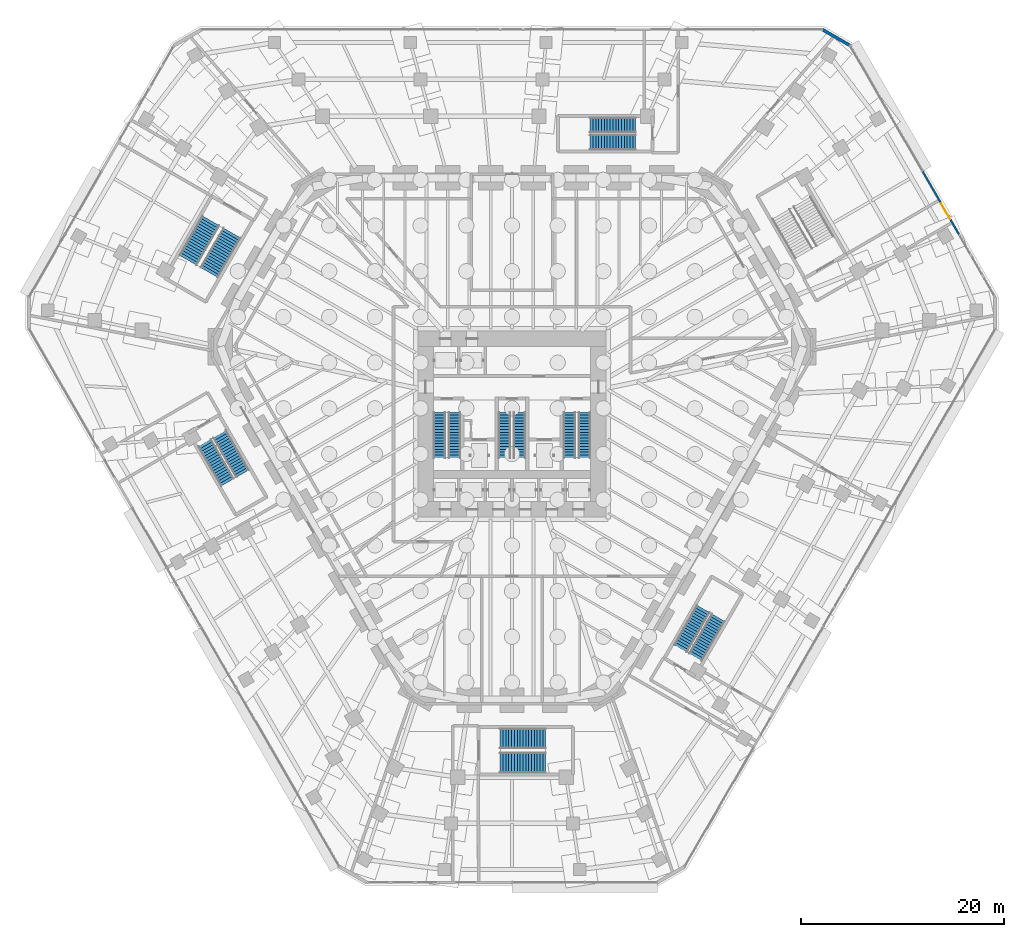
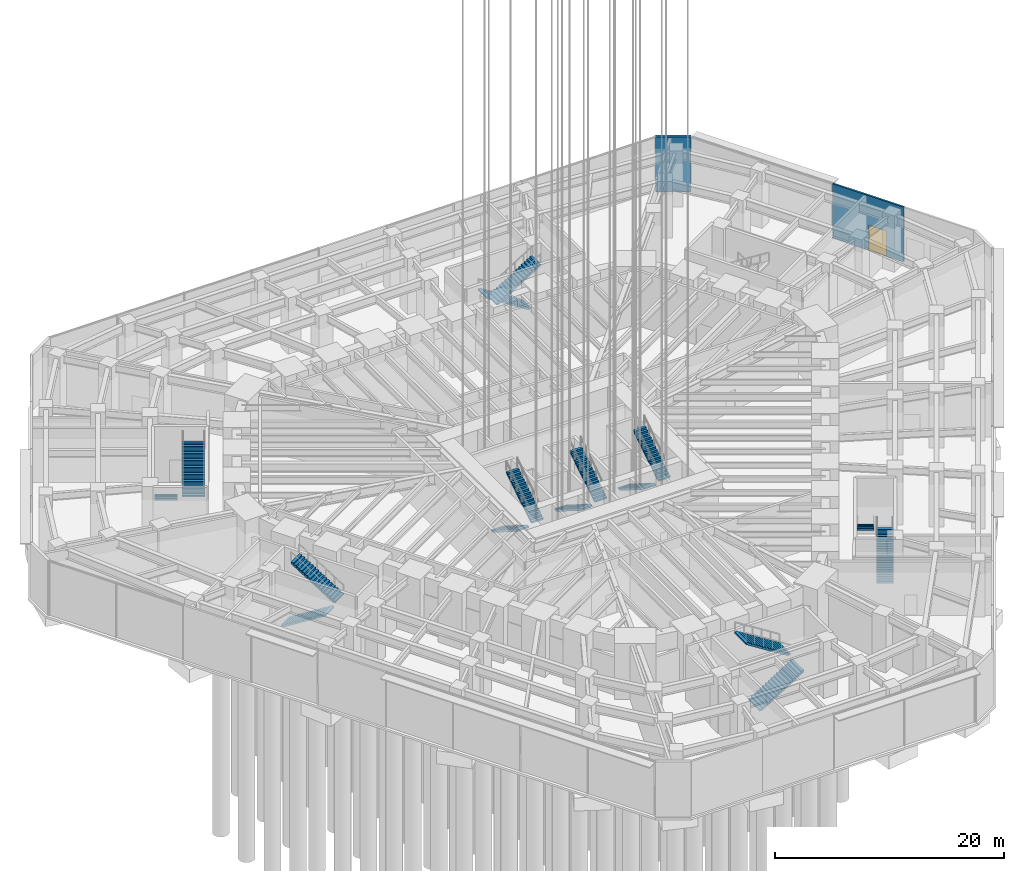
# One storey, part 23 of 34: 16 stair flights, 2 walls, 1 door, 1 opening, 8 elements without a shape of their own.
"""IFC4 building model written with IfcOpenShell, lengths in metres."""

from ifc_helpers import new_model, si_unit, direction, frame, frame_2d, origin, place, context, subcontext, project, spatial, polyline, rectangle, outline, extrude, material, layer, layer_set, type_object, element, fill, aggregate, save


model = new_model("IFC4")

# Units and contexts
model_context = context("Model", 3, precision=1e-05, world=origin(), true_north=direction((0.0, 1.0)))
body_context = subcontext(model_context, "Body", "Model", "MODEL_VIEW")
ifc_project = project(units=[si_unit("LENGTHUNIT", "METRE"), si_unit("AREAUNIT", "SQUARE_METRE"), si_unit("VOLUMEUNIT", "CUBIC_METRE"), si_unit("PLANEANGLEUNIT", "RADIAN"), si_unit("MASSUNIT", "GRAM", prefix="KILO")], contexts=[model_context])

# Site, building, storey
site_placement = place(None, origin())
site = spatial("IfcSite", under=ifc_project, at=site_placement, CompositionType="ELEMENT")
building_placement = place(site_placement, origin())
building = spatial("IfcBuilding", under=site, at=building_placement, Name="Sandreach Pilgrim Tower", CompositionType="ELEMENT")
storey_placement = place(building_placement, origin())
storey = spatial("IfcBuildingStorey", under=building, at=storey_placement, Name="L00", CompositionType="ELEMENT", Elevation=0.0)

# Wall, opening, door
ifc_material_1 = material(Name="Glazed aluminium screen", Category="aluminium")
ifc_layer_1 = layer(ifc_material_1, 0.179931640625)
ifc_layer_set_1 = layer_set([ifc_layer_1], Name="Glazed entrance screen wall")
wall_type_1 = type_object("IfcWallType", Name="Glazed entrance screen wall", PredefinedType="SOLIDWALL", material=ifc_layer_set_1)
wall_1_placement = place(storey_placement, frame((40.427734375, 23.3408203125, 0.0), z_axis=(0.0, 0.0, 1.0), x_axis=(0.499988249127, -0.866032188048, 0.0)))
wall_1 = element("IfcWall", 1, at=wall_1_placement, inside=storey, type_object=wall_type_1, Name="Exit screen wall L00 NE", PredefinedType="SOLIDWALL", context=body_context, shape_type="SweptSolid", body=[
    extrude(rectangle(XDim=7.156005859375, YDim=0.179931640625, at=frame_2d((3.578125, 0.0))), origin(), (0.0, 0.0, 1.0), 5.840087890625),
])
opening_placement = place(wall_1_placement, frame((3.6611328125, 0.0, 0.0)))
opening = element("IfcOpeningElement", 2, at=opening_placement, cuts=wall_1, Name="Opening D18-NEX", PredefinedType="OPENING", context=body_context, shape_type="SweptSolid", body=[
    extrude(rectangle(XDim=1.800048828125, YDim=2.699951171875, at=frame_2d((0.89990234375, 1.35009765625))), frame((0.0, 0.08984375, 0.0), z_axis=(0.0, -1.0, 0.0), x_axis=(1.0, 0.0, 0.0)), (0.0, 0.0, 1.0), 0.179931640625),
])
ifc_material_2 = material(Name="Aluminium and glass", Category="aluminium")
door_type = type_object("IfcDoorType", Name="Entrance double door", OperationType="DOUBLE_DOOR_SINGLE_SWING", PredefinedType="DOOR", material=ifc_material_2)
door_placement = place(opening_placement, origin())
door = element("IfcDoor", 3, at=door_placement, inside=storey, type_object=door_type, Name="Exit door L00 NE from stair ST4", OperationType="SINGLE_SWING_LEFT", OverallHeight=2.699951171875, OverallWidth=1.800048828125, PredefinedType="DOOR", context=body_context, shape_type="SweptSolid", body=[
    extrude(rectangle(XDim=1.800048828125, YDim=2.699951171875, at=frame_2d((0.89990234375, 1.35009765625))), frame((0.0, 0.02490234375, 0.0), z_axis=(0.0, -1.0, 0.0), x_axis=(1.0, 0.0, 0.0)), (0.0, 0.0, 1.0), 0.050048828125),
])
fill(opening, door)

# Wall
ifc_material_3 = material(Name="Terracotta rainscreen on concrete", Category="masonry")
ifc_layer_2 = layer(ifc_material_3, 0.300048828125)
ifc_layer_set_2 = layer_set([ifc_layer_2], Name="Terracotta chamfer pier")
wall_type_2 = type_object("IfcWallType", Name="Terracotta chamfer pier", PredefinedType="SOLIDWALL", material=ifc_layer_set_2)
wall_2_placement = place(storey_placement, frame((30.5869140625, 37.285400390625, 0.0), z_axis=(0.0, 0.0, 1.0), x_axis=(0.866063626216, -0.499933790963, 0.0)))
element("IfcWall", 4, at=wall_2_placement, inside=storey, type_object=wall_type_2, Name="Chamfer pier L00 N", PredefinedType="SOLIDWALL", context=body_context, shape_type="SweptSolid", body=[
    extrude(rectangle(XDim=3.10009765625, YDim=0.300048828125, at=frame_2d((1.550048828125, 0.0))), origin(), (0.0, 0.0, 1.0), 5.840087890625),
])

# Stair, stair flights
ifc_material_4 = material(Name="Concrete 8000 psi", Category="concrete")
stair_type_1 = type_object("IfcStairType", Name="Core exit stair", PredefinedType="HALF_TURN_STAIR", material=ifc_material_4)
stair_1_placement = place(storey_placement, origin())
stair_1 = element("IfcStair", 5, at=stair_1_placement, inside=storey, type_object=stair_type_1, Name="Exit stair ST1 L00", PredefinedType="HALF_TURN_STAIR")
ifc_material_5 = material(Name="Concrete 8000 psi", Category="concrete")
stair_flight_type_1 = type_object("IfcStairFlightType", Name="Core stair flight 1200", PredefinedType="STRAIGHT", material=ifc_material_5)
stair_flight_1_placement = place(storey_placement, frame((-7.14990234375, -0.39990234375, 0.0), z_axis=(0.0, 0.0, 1.0), x_axis=(0.0, -1.0, 0.0)))
stair_flight_1 = element("IfcStairFlight", 6, at=stair_flight_1_placement, type_object=stair_flight_type_1, Name="ST1 flight 1", NumberOfRisers=17, NumberOfTreads=16, PredefinedType="STRAIGHT", RiserHeight=0.176470588, TreadLength=0.28, context=body_context, shape_type="SweptSolid", body=[
    extrude(outline(polyline([(0.0, 0.0), (0.0, 0.176513671875), (0.280029296875, 0.176513671875), (0.280029296875, 0.35302734375), (0.56005859375, 0.35302734375), (0.56005859375, 0.529296875), (0.840087890625, 0.529296875), (0.840087890625, 0.705810546875), (1.1201171875, 0.705810546875), (1.1201171875, 0.88232421875), (1.39990234375, 0.88232421875), (1.39990234375, 1.058837890625), (1.679931640625, 1.058837890625), (1.679931640625, 1.2353515625), (1.9599609375, 1.2353515625), (1.9599609375, 1.411865234375), (2.239990234375, 1.411865234375), (2.239990234375, 1.588134765625), (2.52001953125, 1.588134765625), (2.52001953125, 1.7646484375), (2.800048828125, 1.7646484375), (2.800048828125, 1.941162109375), (3.080078125, 1.941162109375), (3.080078125, 2.11767578125), (3.360107421875, 2.11767578125), (3.360107421875, 2.294189453125), (3.639892578125, 2.294189453125), (3.639892578125, 2.470703125), (3.919921875, 2.470703125), (3.919921875, 2.64697265625), (4.199951171875, 2.64697265625), (4.199951171875, 2.823486328125), (4.47998046875, 2.823486328125), (4.47998046875, 3.0), (4.47998046875, 2.646240234375), (0.28125, 0.0), (0.0, 0.0)])), frame((0.0, 0.60009765625, 0.0), z_axis=(0.0, -1.0, 0.0), x_axis=(1.0, 0.0, 0.0)), (0.0, 0.0, 1.0), 1.199951171875),
])
stair_flight_2_placement = place(storey_placement, frame((-5.64990234375, -4.8798828125, 3.0), z_axis=(0.0, 0.0, 1.0), x_axis=(0.0, 1.0, 0.0)))
stair_flight_2 = element("IfcStairFlight", 7, at=stair_flight_2_placement, type_object=stair_flight_type_1, Name="ST1 flight 2", NumberOfRisers=17, NumberOfTreads=16, PredefinedType="STRAIGHT", RiserHeight=0.176470588, TreadLength=0.28, context=body_context, shape_type="SweptSolid", body=[
    extrude(outline(polyline([(0.0, 0.0), (0.0, 0.176513671875), (0.280029296875, 0.176513671875), (0.280029296875, 0.35302734375), (0.56005859375, 0.35302734375), (0.56005859375, 0.529296875), (0.840087890625, 0.529296875), (0.840087890625, 0.705810546875), (1.1201171875, 0.705810546875), (1.1201171875, 0.88232421875), (1.39990234375, 0.88232421875), (1.39990234375, 1.058837890625), (1.679931640625, 1.058837890625), (1.679931640625, 1.2353515625), (1.9599609375, 1.2353515625), (1.9599609375, 1.411865234375), (2.239990234375, 1.411865234375), (2.239990234375, 1.588134765625), (2.52001953125, 1.588134765625), (2.52001953125, 1.7646484375), (2.800048828125, 1.7646484375), (2.800048828125, 1.941162109375), (3.080078125, 1.941162109375), (3.080078125, 2.11767578125), (3.360107421875, 2.11767578125), (3.360107421875, 2.294189453125), (3.639892578125, 2.294189453125), (3.639892578125, 2.470703125), (3.919921875, 2.470703125), (3.919921875, 2.64697265625), (4.199951171875, 2.64697265625), (4.199951171875, 2.823486328125), (4.47998046875, 2.823486328125), (4.47998046875, 3.0), (4.47998046875, 2.646240234375), (0.28125, 0.0), (0.0, 0.0)])), frame((0.0, 0.60009765625, 0.0), z_axis=(0.0, -1.0, 0.0), x_axis=(1.0, 0.0, 0.0)), (0.0, 0.0, 1.0), 1.199951171875),
])
aggregate(stair_1, [stair_flight_1, stair_flight_2])

stair_2_placement = place(storey_placement, origin())
stair_2 = element("IfcStair", 8, at=stair_2_placement, inside=storey, type_object=stair_type_1, Name="Exit stair ST3 L00", PredefinedType="HALF_TURN_STAIR")
stair_flight_3_placement = place(storey_placement, frame((-0.75, -0.39990234375, 0.0), z_axis=(0.0, 0.0, 1.0), x_axis=(0.0, -1.0, 0.0)))
stair_flight_3 = element("IfcStairFlight", 9, at=stair_flight_3_placement, type_object=stair_flight_type_1, Name="ST3 flight 1", NumberOfRisers=17, NumberOfTreads=16, PredefinedType="STRAIGHT", RiserHeight=0.176470588, TreadLength=0.28, context=body_context, shape_type="SweptSolid", body=[
    extrude(outline(polyline([(0.0, 0.0), (0.0, 0.176513671875), (0.280029296875, 0.176513671875), (0.280029296875, 0.35302734375), (0.56005859375, 0.35302734375), (0.56005859375, 0.529296875), (0.840087890625, 0.529296875), (0.840087890625, 0.705810546875), (1.1201171875, 0.705810546875), (1.1201171875, 0.88232421875), (1.39990234375, 0.88232421875), (1.39990234375, 1.058837890625), (1.679931640625, 1.058837890625), (1.679931640625, 1.2353515625), (1.9599609375, 1.2353515625), (1.9599609375, 1.411865234375), (2.239990234375, 1.411865234375), (2.239990234375, 1.588134765625), (2.52001953125, 1.588134765625), (2.52001953125, 1.7646484375), (2.800048828125, 1.7646484375), (2.800048828125, 1.941162109375), (3.080078125, 1.941162109375), (3.080078125, 2.11767578125), (3.360107421875, 2.11767578125), (3.360107421875, 2.294189453125), (3.639892578125, 2.294189453125), (3.639892578125, 2.470703125), (3.919921875, 2.470703125), (3.919921875, 2.64697265625), (4.199951171875, 2.64697265625), (4.199951171875, 2.823486328125), (4.47998046875, 2.823486328125), (4.47998046875, 3.0), (4.47998046875, 2.646240234375), (0.28125, 0.0), (0.0, 0.0)])), frame((0.0, 0.60009765625, 0.0), z_axis=(0.0, -1.0, 0.0), x_axis=(1.0, 0.0, 0.0)), (0.0, 0.0, 1.0), 1.199951171875),
])
stair_flight_4_placement = place(storey_placement, frame((0.75, -4.8798828125, 3.0), z_axis=(0.0, 0.0, 1.0), x_axis=(0.0, 1.0, 0.0)))
stair_flight_4 = element("IfcStairFlight", 10, at=stair_flight_4_placement, type_object=stair_flight_type_1, Name="ST3 flight 2", NumberOfRisers=17, NumberOfTreads=16, PredefinedType="STRAIGHT", RiserHeight=0.176470588, TreadLength=0.28, context=body_context, shape_type="SweptSolid", body=[
    extrude(outline(polyline([(0.0, 0.0), (0.0, 0.176513671875), (0.280029296875, 0.176513671875), (0.280029296875, 0.35302734375), (0.56005859375, 0.35302734375), (0.56005859375, 0.529296875), (0.840087890625, 0.529296875), (0.840087890625, 0.705810546875), (1.1201171875, 0.705810546875), (1.1201171875, 0.88232421875), (1.39990234375, 0.88232421875), (1.39990234375, 1.058837890625), (1.679931640625, 1.058837890625), (1.679931640625, 1.2353515625), (1.9599609375, 1.2353515625), (1.9599609375, 1.411865234375), (2.239990234375, 1.411865234375), (2.239990234375, 1.588134765625), (2.52001953125, 1.588134765625), (2.52001953125, 1.7646484375), (2.800048828125, 1.7646484375), (2.800048828125, 1.941162109375), (3.080078125, 1.941162109375), (3.080078125, 2.11767578125), (3.360107421875, 2.11767578125), (3.360107421875, 2.294189453125), (3.639892578125, 2.294189453125), (3.639892578125, 2.470703125), (3.919921875, 2.470703125), (3.919921875, 2.64697265625), (4.199951171875, 2.64697265625), (4.199951171875, 2.823486328125), (4.47998046875, 2.823486328125), (4.47998046875, 3.0), (4.47998046875, 2.646240234375), (0.28125, 0.0), (0.0, 0.0)])), frame((0.0, 0.60009765625, 0.0), z_axis=(0.0, -1.0, 0.0), x_axis=(1.0, 0.0, 0.0)), (0.0, 0.0, 1.0), 1.199951171875),
])
aggregate(stair_2, [stair_flight_3, stair_flight_4])

stair_3_placement = place(storey_placement, origin())
stair_3 = element("IfcStair", 11, at=stair_3_placement, inside=storey, type_object=stair_type_1, Name="Exit stair ST2 L00", PredefinedType="HALF_TURN_STAIR")
stair_flight_5_placement = place(storey_placement, frame((5.64990234375, -0.39990234375, 0.0), z_axis=(0.0, 0.0, 1.0), x_axis=(0.0, -1.0, 0.0)))
stair_flight_5 = element("IfcStairFlight", 12, at=stair_flight_5_placement, type_object=stair_flight_type_1, Name="ST2 flight 1", NumberOfRisers=17, NumberOfTreads=16, PredefinedType="STRAIGHT", RiserHeight=0.176470588, TreadLength=0.28, context=body_context, shape_type="SweptSolid", body=[
    extrude(outline(polyline([(0.0, 0.0), (0.0, 0.176513671875), (0.280029296875, 0.176513671875), (0.280029296875, 0.35302734375), (0.56005859375, 0.35302734375), (0.56005859375, 0.529296875), (0.840087890625, 0.529296875), (0.840087890625, 0.705810546875), (1.1201171875, 0.705810546875), (1.1201171875, 0.88232421875), (1.39990234375, 0.88232421875), (1.39990234375, 1.058837890625), (1.679931640625, 1.058837890625), (1.679931640625, 1.2353515625), (1.9599609375, 1.2353515625), (1.9599609375, 1.411865234375), (2.239990234375, 1.411865234375), (2.239990234375, 1.588134765625), (2.52001953125, 1.588134765625), (2.52001953125, 1.7646484375), (2.800048828125, 1.7646484375), (2.800048828125, 1.941162109375), (3.080078125, 1.941162109375), (3.080078125, 2.11767578125), (3.360107421875, 2.11767578125), (3.360107421875, 2.294189453125), (3.639892578125, 2.294189453125), (3.639892578125, 2.470703125), (3.919921875, 2.470703125), (3.919921875, 2.64697265625), (4.199951171875, 2.64697265625), (4.199951171875, 2.823486328125), (4.47998046875, 2.823486328125), (4.47998046875, 3.0), (4.47998046875, 2.646240234375), (0.28125, 0.0), (0.0, 0.0)])), frame((0.0, 0.60009765625, 0.0), z_axis=(0.0, -1.0, 0.0), x_axis=(1.0, 0.0, 0.0)), (0.0, 0.0, 1.0), 1.199951171875),
])
stair_flight_6_placement = place(storey_placement, frame((7.14990234375, -4.8798828125, 3.0), z_axis=(0.0, 0.0, 1.0), x_axis=(0.0, 1.0, 0.0)))
stair_flight_6 = element("IfcStairFlight", 13, at=stair_flight_6_placement, type_object=stair_flight_type_1, Name="ST2 flight 2", NumberOfRisers=17, NumberOfTreads=16, PredefinedType="STRAIGHT", RiserHeight=0.176470588, TreadLength=0.28, context=body_context, shape_type="SweptSolid", body=[
    extrude(outline(polyline([(0.0, 0.0), (0.0, 0.176513671875), (0.280029296875, 0.176513671875), (0.280029296875, 0.35302734375), (0.56005859375, 0.35302734375), (0.56005859375, 0.529296875), (0.840087890625, 0.529296875), (0.840087890625, 0.705810546875), (1.1201171875, 0.705810546875), (1.1201171875, 0.88232421875), (1.39990234375, 0.88232421875), (1.39990234375, 1.058837890625), (1.679931640625, 1.058837890625), (1.679931640625, 1.2353515625), (1.9599609375, 1.2353515625), (1.9599609375, 1.411865234375), (2.239990234375, 1.411865234375), (2.239990234375, 1.588134765625), (2.52001953125, 1.588134765625), (2.52001953125, 1.7646484375), (2.800048828125, 1.7646484375), (2.800048828125, 1.941162109375), (3.080078125, 1.941162109375), (3.080078125, 2.11767578125), (3.360107421875, 2.11767578125), (3.360107421875, 2.294189453125), (3.639892578125, 2.294189453125), (3.639892578125, 2.470703125), (3.919921875, 2.470703125), (3.919921875, 2.64697265625), (4.199951171875, 2.64697265625), (4.199951171875, 2.823486328125), (4.47998046875, 2.823486328125), (4.47998046875, 3.0), (4.47998046875, 2.646240234375), (0.28125, 0.0), (0.0, 0.0)])), frame((0.0, 0.60009765625, 0.0), z_axis=(0.0, -1.0, 0.0), x_axis=(1.0, 0.0, 0.0)), (0.0, 0.0, 1.0), 1.199951171875),
])
aggregate(stair_3, [stair_flight_5, stair_flight_6])

ifc_material_6 = material(Name="Concrete 8000 psi", Category="concrete")
stair_type_2 = type_object("IfcStairType", Name="Narrow podium exit stair", PredefinedType="HALF_TURN_STAIR", material=ifc_material_6)
stair_4_placement = place(storey_placement, origin())
stair_4 = element("IfcStair", 14, at=stair_4_placement, inside=storey, type_object=stair_type_2, Name="Exit stair ST7 L00", PredefinedType="HALF_TURN_STAIR")
ifc_material_7 = material(Name="Concrete 8000 psi", Category="concrete")
stair_flight_type_2 = type_object("IfcStairFlightType", Name="Podium stair flight 1500", PredefinedType="STRAIGHT", material=ifc_material_7)
stair_flight_7_placement = place(storey_placement, frame((12.1796875, 27.898681640625, 0.0), z_axis=(0.0, 0.0, 1.0), x_axis=(-1.0, 0.0, 0.0)))
stair_flight_7 = element("IfcStairFlight", 15, at=stair_flight_7_placement, type_object=stair_flight_type_2, Name="ST7 flight 1", NumberOfRisers=17, NumberOfTreads=16, PredefinedType="STRAIGHT", RiserHeight=0.176470588, TreadLength=0.28, context=body_context, shape_type="SweptSolid", body=[
    extrude(outline(polyline([(0.0, 0.0), (0.0, 0.176513671875), (0.280029296875, 0.176513671875), (0.280029296875, 0.35302734375), (0.56005859375, 0.35302734375), (0.56005859375, 0.529296875), (0.840087890625, 0.529296875), (0.840087890625, 0.705810546875), (1.1201171875, 0.705810546875), (1.1201171875, 0.88232421875), (1.39990234375, 0.88232421875), (1.39990234375, 1.058837890625), (1.679931640625, 1.058837890625), (1.679931640625, 1.2353515625), (1.9599609375, 1.2353515625), (1.9599609375, 1.411865234375), (2.239990234375, 1.411865234375), (2.239990234375, 1.588134765625), (2.52001953125, 1.588134765625), (2.52001953125, 1.7646484375), (2.800048828125, 1.7646484375), (2.800048828125, 1.941162109375), (3.080078125, 1.941162109375), (3.080078125, 2.11767578125), (3.360107421875, 2.11767578125), (3.360107421875, 2.294189453125), (3.639892578125, 2.294189453125), (3.639892578125, 2.470703125), (3.919921875, 2.470703125), (3.919921875, 2.64697265625), (4.199951171875, 2.64697265625), (4.199951171875, 2.823486328125), (4.47998046875, 2.823486328125), (4.47998046875, 3.0), (4.47998046875, 2.646240234375), (0.28125, 0.0), (0.0, 0.0)])), frame((0.0, 0.75, 0.0), z_axis=(0.0, -1.0, 0.0), x_axis=(1.0, 0.0, 0.0)), (0.0, 0.0, 1.0), 1.5),
])
stair_flight_8_placement = place(storey_placement, frame((7.69970703125, 26.19873046875, 3.0), z_axis=(0.0, 0.0, 1.0), x_axis=(1.0, 0.0, 0.0)))
stair_flight_8 = element("IfcStairFlight", 16, at=stair_flight_8_placement, type_object=stair_flight_type_2, Name="ST7 flight 2", NumberOfRisers=17, NumberOfTreads=16, PredefinedType="STRAIGHT", RiserHeight=0.176470588, TreadLength=0.28, context=body_context, shape_type="SweptSolid", body=[
    extrude(outline(polyline([(0.0, 0.0), (0.0, 0.176513671875), (0.280029296875, 0.176513671875), (0.280029296875, 0.35302734375), (0.56005859375, 0.35302734375), (0.56005859375, 0.529296875), (0.840087890625, 0.529296875), (0.840087890625, 0.705810546875), (1.1201171875, 0.705810546875), (1.1201171875, 0.88232421875), (1.39990234375, 0.88232421875), (1.39990234375, 1.058837890625), (1.679931640625, 1.058837890625), (1.679931640625, 1.2353515625), (1.9599609375, 1.2353515625), (1.9599609375, 1.411865234375), (2.239990234375, 1.411865234375), (2.239990234375, 1.588134765625), (2.52001953125, 1.588134765625), (2.52001953125, 1.7646484375), (2.800048828125, 1.7646484375), (2.800048828125, 1.941162109375), (3.080078125, 1.941162109375), (3.080078125, 2.11767578125), (3.360107421875, 2.11767578125), (3.360107421875, 2.294189453125), (3.639892578125, 2.294189453125), (3.639892578125, 2.470703125), (3.919921875, 2.470703125), (3.919921875, 2.64697265625), (4.199951171875, 2.64697265625), (4.199951171875, 2.823486328125), (4.47998046875, 2.823486328125), (4.47998046875, 3.0), (4.47998046875, 2.646240234375), (0.28125, 0.0), (0.0, 0.0)])), frame((0.0, 0.75, 0.0), z_axis=(0.0, -1.0, 0.0), x_axis=(1.0, 0.0, 0.0)), (0.0, 0.0, 1.0), 1.5),
])
aggregate(stair_4, [stair_flight_7, stair_flight_8])

stair_5_placement = place(storey_placement, origin())
stair_5 = element("IfcStair", 17, at=stair_5_placement, inside=storey, type_object=stair_type_2, Name="Exit stair ST8 L00", PredefinedType="HALF_TURN_STAIR")
stair_flight_9_placement = place(storey_placement, frame((18.071044921875, -24.497314453125, 0.0), z_axis=(0.0, 0.0, 1.0), x_axis=(0.5, 0.866025403784, 0.0)))
stair_flight_9 = element("IfcStairFlight", 18, at=stair_flight_9_placement, type_object=stair_flight_type_2, Name="ST8 flight 1", NumberOfRisers=17, NumberOfTreads=16, PredefinedType="STRAIGHT", RiserHeight=0.176470588, TreadLength=0.28, context=body_context, shape_type="SweptSolid", body=[
    extrude(outline(polyline([(0.0, 0.0), (0.0, 0.176513671875), (0.280029296875, 0.176513671875), (0.280029296875, 0.35302734375), (0.56005859375, 0.35302734375), (0.56005859375, 0.529296875), (0.840087890625, 0.529296875), (0.840087890625, 0.705810546875), (1.1201171875, 0.705810546875), (1.1201171875, 0.88232421875), (1.39990234375, 0.88232421875), (1.39990234375, 1.058837890625), (1.679931640625, 1.058837890625), (1.679931640625, 1.2353515625), (1.9599609375, 1.2353515625), (1.9599609375, 1.411865234375), (2.239990234375, 1.411865234375), (2.239990234375, 1.588134765625), (2.52001953125, 1.588134765625), (2.52001953125, 1.7646484375), (2.800048828125, 1.7646484375), (2.800048828125, 1.941162109375), (3.080078125, 1.941162109375), (3.080078125, 2.11767578125), (3.360107421875, 2.11767578125), (3.360107421875, 2.294189453125), (3.639892578125, 2.294189453125), (3.639892578125, 2.470703125), (3.919921875, 2.470703125), (3.919921875, 2.64697265625), (4.199951171875, 2.64697265625), (4.199951171875, 2.823486328125), (4.47998046875, 2.823486328125), (4.47998046875, 3.0), (4.47998046875, 2.646240234375), (0.28125, 0.0), (0.0, 0.0)])), frame((0.0, 0.75, 0.0), z_axis=(0.0, -1.0, 0.0), x_axis=(1.0, 0.0, 0.0)), (0.0, 0.0, 1.0), 1.5),
])
stair_flight_10_placement = place(storey_placement, frame((18.8388671875, -19.767578125, 3.0), z_axis=(0.0, 0.0, 1.0), x_axis=(-0.5, -0.866025403784, 0.0)))
stair_flight_10 = element("IfcStairFlight", 19, at=stair_flight_10_placement, type_object=stair_flight_type_2, Name="ST8 flight 2", NumberOfRisers=17, NumberOfTreads=16, PredefinedType="STRAIGHT", RiserHeight=0.176470588, TreadLength=0.28, context=body_context, shape_type="SweptSolid", body=[
    extrude(outline(polyline([(0.0, 0.0), (0.0, 0.176513671875), (0.280029296875, 0.176513671875), (0.280029296875, 0.35302734375), (0.56005859375, 0.35302734375), (0.56005859375, 0.529296875), (0.840087890625, 0.529296875), (0.840087890625, 0.705810546875), (1.1201171875, 0.705810546875), (1.1201171875, 0.88232421875), (1.39990234375, 0.88232421875), (1.39990234375, 1.058837890625), (1.679931640625, 1.058837890625), (1.679931640625, 1.2353515625), (1.9599609375, 1.2353515625), (1.9599609375, 1.411865234375), (2.239990234375, 1.411865234375), (2.239990234375, 1.588134765625), (2.52001953125, 1.588134765625), (2.52001953125, 1.7646484375), (2.800048828125, 1.7646484375), (2.800048828125, 1.941162109375), (3.080078125, 1.941162109375), (3.080078125, 2.11767578125), (3.360107421875, 2.11767578125), (3.360107421875, 2.294189453125), (3.639892578125, 2.294189453125), (3.639892578125, 2.470703125), (3.919921875, 2.470703125), (3.919921875, 2.64697265625), (4.199951171875, 2.64697265625), (4.199951171875, 2.823486328125), (4.47998046875, 2.823486328125), (4.47998046875, 3.0), (4.47998046875, 2.646240234375), (0.28125, 0.0), (0.0, 0.0)])), frame((0.0, 0.75, 0.0), z_axis=(0.0, -1.0, 0.0), x_axis=(1.0, 0.0, 0.0)), (0.0, 0.0, 1.0), 1.5),
])
aggregate(stair_5, [stair_flight_9, stair_flight_10])

stair_6_placement = place(storey_placement, origin())
stair_6 = element("IfcStair", 20, at=stair_6_placement, inside=storey, type_object=stair_type_2, Name="Exit stair ST9 L00", PredefinedType="HALF_TURN_STAIR")
stair_flight_11_placement = place(storey_placement, frame((-30.2509765625, -3.4013671875, 0.0), z_axis=(0.0, 0.0, 1.0), x_axis=(0.5, -0.866025403784, 0.0)))
stair_flight_11 = element("IfcStairFlight", 21, at=stair_flight_11_placement, type_object=stair_flight_type_2, Name="ST9 flight 1", NumberOfRisers=17, NumberOfTreads=16, PredefinedType="STRAIGHT", RiserHeight=0.176470588, TreadLength=0.28, context=body_context, shape_type="SweptSolid", body=[
    extrude(outline(polyline([(0.0, 0.0), (0.0, 0.176513671875), (0.280029296875, 0.176513671875), (0.280029296875, 0.35302734375), (0.56005859375, 0.35302734375), (0.56005859375, 0.529296875), (0.840087890625, 0.529296875), (0.840087890625, 0.705810546875), (1.1201171875, 0.705810546875), (1.1201171875, 0.88232421875), (1.39990234375, 0.88232421875), (1.39990234375, 1.058837890625), (1.679931640625, 1.058837890625), (1.679931640625, 1.2353515625), (1.9599609375, 1.2353515625), (1.9599609375, 1.411865234375), (2.239990234375, 1.411865234375), (2.239990234375, 1.588134765625), (2.52001953125, 1.588134765625), (2.52001953125, 1.7646484375), (2.800048828125, 1.7646484375), (2.800048828125, 1.941162109375), (3.080078125, 1.941162109375), (3.080078125, 2.11767578125), (3.360107421875, 2.11767578125), (3.360107421875, 2.294189453125), (3.639892578125, 2.294189453125), (3.639892578125, 2.470703125), (3.919921875, 2.470703125), (3.919921875, 2.64697265625), (4.199951171875, 2.64697265625), (4.199951171875, 2.823486328125), (4.47998046875, 2.823486328125), (4.47998046875, 3.0), (4.47998046875, 2.646240234375), (0.28125, 0.0), (0.0, 0.0)])), frame((0.0, 0.75, 0.0), z_axis=(0.0, -1.0, 0.0), x_axis=(1.0, 0.0, 0.0)), (0.0, 0.0, 1.0), 1.5),
])
stair_flight_12_placement = place(storey_placement, frame((-26.53857421875, -6.43115234375, 3.0), z_axis=(0.0, 0.0, 1.0), x_axis=(-0.5, 0.866025403784, 0.0)))
stair_flight_12 = element("IfcStairFlight", 22, at=stair_flight_12_placement, type_object=stair_flight_type_2, Name="ST9 flight 2", NumberOfRisers=17, NumberOfTreads=16, PredefinedType="STRAIGHT", RiserHeight=0.176470588, TreadLength=0.28, context=body_context, shape_type="SweptSolid", body=[
    extrude(outline(polyline([(0.0, 0.0), (0.0, 0.176513671875), (0.280029296875, 0.176513671875), (0.280029296875, 0.35302734375), (0.56005859375, 0.35302734375), (0.56005859375, 0.529296875), (0.840087890625, 0.529296875), (0.840087890625, 0.705810546875), (1.1201171875, 0.705810546875), (1.1201171875, 0.88232421875), (1.39990234375, 0.88232421875), (1.39990234375, 1.058837890625), (1.679931640625, 1.058837890625), (1.679931640625, 1.2353515625), (1.9599609375, 1.2353515625), (1.9599609375, 1.411865234375), (2.239990234375, 1.411865234375), (2.239990234375, 1.588134765625), (2.52001953125, 1.588134765625), (2.52001953125, 1.7646484375), (2.800048828125, 1.7646484375), (2.800048828125, 1.941162109375), (3.080078125, 1.941162109375), (3.080078125, 2.11767578125), (3.360107421875, 2.11767578125), (3.360107421875, 2.294189453125), (3.639892578125, 2.294189453125), (3.639892578125, 2.470703125), (3.919921875, 2.470703125), (3.919921875, 2.64697265625), (4.199951171875, 2.64697265625), (4.199951171875, 2.823486328125), (4.47998046875, 2.823486328125), (4.47998046875, 3.0), (4.47998046875, 2.646240234375), (0.28125, 0.0), (0.0, 0.0)])), frame((0.0, 0.75, 0.0), z_axis=(0.0, -1.0, 0.0), x_axis=(1.0, 0.0, 0.0)), (0.0, 0.0, 1.0), 1.5),
])
aggregate(stair_6, [stair_flight_11, stair_flight_12])

ifc_material_8 = material(Name="Concrete 8000 psi", Category="concrete")
stair_type_3 = type_object("IfcStairType", Name="Podium exit stair", PredefinedType="HALF_TURN_STAIR", material=ifc_material_8)
stair_7_placement = place(storey_placement, origin())
stair_7 = element("IfcStair", 23, at=stair_7_placement, inside=storey, type_object=stair_type_3, Name="Exit stair ST5 L00", PredefinedType="HALF_TURN_STAIR")
ifc_material_9 = material(Name="Concrete 8000 psi", Category="concrete")
stair_flight_type_3 = type_object("IfcStairFlightType", Name="Podium stair flight 2000", PredefinedType="STRAIGHT", material=ifc_material_9)
stair_flight_13_placement = place(storey_placement, frame((-1.1611328125, -34.910888671875, 0.0), z_axis=(0.0, 0.0, 1.0), x_axis=(1.0, 0.0, 0.0)))
stair_flight_13 = element("IfcStairFlight", 24, at=stair_flight_13_placement, type_object=stair_flight_type_3, Name="ST5 flight 1", NumberOfRisers=17, NumberOfTreads=16, PredefinedType="STRAIGHT", RiserHeight=0.176470588, TreadLength=0.28, context=body_context, shape_type="SweptSolid", body=[
    extrude(outline(polyline([(0.0, 0.0), (0.0, 0.176513671875), (0.280029296875, 0.176513671875), (0.280029296875, 0.35302734375), (0.56005859375, 0.35302734375), (0.56005859375, 0.529296875), (0.840087890625, 0.529296875), (0.840087890625, 0.705810546875), (1.1201171875, 0.705810546875), (1.1201171875, 0.88232421875), (1.39990234375, 0.88232421875), (1.39990234375, 1.058837890625), (1.679931640625, 1.058837890625), (1.679931640625, 1.2353515625), (1.9599609375, 1.2353515625), (1.9599609375, 1.411865234375), (2.239990234375, 1.411865234375), (2.239990234375, 1.588134765625), (2.52001953125, 1.588134765625), (2.52001953125, 1.7646484375), (2.800048828125, 1.7646484375), (2.800048828125, 1.941162109375), (3.080078125, 1.941162109375), (3.080078125, 2.11767578125), (3.360107421875, 2.11767578125), (3.360107421875, 2.294189453125), (3.639892578125, 2.294189453125), (3.639892578125, 2.470703125), (3.919921875, 2.470703125), (3.919921875, 2.64697265625), (4.199951171875, 2.64697265625), (4.199951171875, 2.823486328125), (4.47998046875, 2.823486328125), (4.47998046875, 3.0), (4.47998046875, 2.646240234375), (0.28125, 0.0), (0.0, 0.0)])), frame((0.0, 1.0, 0.0), z_axis=(0.0, -1.0, 0.0), x_axis=(1.0, 0.0, 0.0)), (0.0, 0.0, 1.0), 2.0),
])
stair_flight_14_placement = place(storey_placement, frame((3.31884765625, -32.510986328125, 3.0), z_axis=(0.0, 0.0, 1.0), x_axis=(-1.0, 0.0, 0.0)))
stair_flight_14 = element("IfcStairFlight", 25, at=stair_flight_14_placement, type_object=stair_flight_type_3, Name="ST5 flight 2", NumberOfRisers=17, NumberOfTreads=16, PredefinedType="STRAIGHT", RiserHeight=0.176470588, TreadLength=0.28, context=body_context, shape_type="SweptSolid", body=[
    extrude(outline(polyline([(0.0, 0.0), (0.0, 0.176513671875), (0.280029296875, 0.176513671875), (0.280029296875, 0.35302734375), (0.56005859375, 0.35302734375), (0.56005859375, 0.529296875), (0.840087890625, 0.529296875), (0.840087890625, 0.705810546875), (1.1201171875, 0.705810546875), (1.1201171875, 0.88232421875), (1.39990234375, 0.88232421875), (1.39990234375, 1.058837890625), (1.679931640625, 1.058837890625), (1.679931640625, 1.2353515625), (1.9599609375, 1.2353515625), (1.9599609375, 1.411865234375), (2.239990234375, 1.411865234375), (2.239990234375, 1.588134765625), (2.52001953125, 1.588134765625), (2.52001953125, 1.7646484375), (2.800048828125, 1.7646484375), (2.800048828125, 1.941162109375), (3.080078125, 1.941162109375), (3.080078125, 2.11767578125), (3.360107421875, 2.11767578125), (3.360107421875, 2.294189453125), (3.639892578125, 2.294189453125), (3.639892578125, 2.470703125), (3.919921875, 2.470703125), (3.919921875, 2.64697265625), (4.199951171875, 2.64697265625), (4.199951171875, 2.823486328125), (4.47998046875, 2.823486328125), (4.47998046875, 3.0), (4.47998046875, 2.646240234375), (0.28125, 0.0), (0.0, 0.0)])), frame((0.0, 1.0, 0.0), z_axis=(0.0, -1.0, 0.0), x_axis=(1.0, 0.0, 0.0)), (0.0, 0.0, 1.0), 2.0),
])
aggregate(stair_7, [stair_flight_13, stair_flight_14])

stair_8_placement = place(storey_placement, origin())
stair_8 = element("IfcStair", 26, at=stair_8_placement, inside=storey, type_object=stair_type_3, Name="Exit stair ST6 L00", PredefinedType="HALF_TURN_STAIR")
stair_flight_15_placement = place(storey_placement, frame((-29.653076171875, 18.4609375, 0.0), z_axis=(0.0, 0.0, 1.0), x_axis=(-0.5, -0.866025403784, 0.0)))
stair_flight_15 = element("IfcStairFlight", 27, at=stair_flight_15_placement, type_object=stair_flight_type_3, Name="ST6 flight 1", NumberOfRisers=17, NumberOfTreads=16, PredefinedType="STRAIGHT", RiserHeight=0.176470588, TreadLength=0.28, context=body_context, shape_type="SweptSolid", body=[
    extrude(outline(polyline([(0.0, 0.0), (0.0, 0.176513671875), (0.280029296875, 0.176513671875), (0.280029296875, 0.35302734375), (0.56005859375, 0.35302734375), (0.56005859375, 0.529296875), (0.840087890625, 0.529296875), (0.840087890625, 0.705810546875), (1.1201171875, 0.705810546875), (1.1201171875, 0.88232421875), (1.39990234375, 0.88232421875), (1.39990234375, 1.058837890625), (1.679931640625, 1.058837890625), (1.679931640625, 1.2353515625), (1.9599609375, 1.2353515625), (1.9599609375, 1.411865234375), (2.239990234375, 1.411865234375), (2.239990234375, 1.588134765625), (2.52001953125, 1.588134765625), (2.52001953125, 1.7646484375), (2.800048828125, 1.7646484375), (2.800048828125, 1.941162109375), (3.080078125, 1.941162109375), (3.080078125, 2.11767578125), (3.360107421875, 2.11767578125), (3.360107421875, 2.294189453125), (3.639892578125, 2.294189453125), (3.639892578125, 2.470703125), (3.919921875, 2.470703125), (3.919921875, 2.64697265625), (4.199951171875, 2.64697265625), (4.199951171875, 2.823486328125), (4.47998046875, 2.823486328125), (4.47998046875, 3.0), (4.47998046875, 2.646240234375), (0.28125, 0.0), (0.0, 0.0)])), frame((0.0, 1.0, 0.0), z_axis=(0.0, -1.0, 0.0), x_axis=(1.0, 0.0, 0.0)), (0.0, 0.0, 1.0), 2.0),
])
stair_flight_16_placement = place(storey_placement, frame((-29.814697265625, 13.38134765625, 3.0), z_axis=(0.0, 0.0, 1.0), x_axis=(0.5, 0.866025403784, 0.0)))
stair_flight_16 = element("IfcStairFlight", 28, at=stair_flight_16_placement, type_object=stair_flight_type_3, Name="ST6 flight 2", NumberOfRisers=17, NumberOfTreads=16, PredefinedType="STRAIGHT", RiserHeight=0.176470588, TreadLength=0.28, context=body_context, shape_type="SweptSolid", body=[
    extrude(outline(polyline([(0.0, 0.0), (0.0, 0.176513671875), (0.280029296875, 0.176513671875), (0.280029296875, 0.35302734375), (0.56005859375, 0.35302734375), (0.56005859375, 0.529296875), (0.840087890625, 0.529296875), (0.840087890625, 0.705810546875), (1.1201171875, 0.705810546875), (1.1201171875, 0.88232421875), (1.39990234375, 0.88232421875), (1.39990234375, 1.058837890625), (1.679931640625, 1.058837890625), (1.679931640625, 1.2353515625), (1.9599609375, 1.2353515625), (1.9599609375, 1.411865234375), (2.239990234375, 1.411865234375), (2.239990234375, 1.588134765625), (2.52001953125, 1.588134765625), (2.52001953125, 1.7646484375), (2.800048828125, 1.7646484375), (2.800048828125, 1.941162109375), (3.080078125, 1.941162109375), (3.080078125, 2.11767578125), (3.360107421875, 2.11767578125), (3.360107421875, 2.294189453125), (3.639892578125, 2.294189453125), (3.639892578125, 2.470703125), (3.919921875, 2.470703125), (3.919921875, 2.64697265625), (4.199951171875, 2.64697265625), (4.199951171875, 2.823486328125), (4.47998046875, 2.823486328125), (4.47998046875, 3.0), (4.47998046875, 2.646240234375), (0.28125, 0.0), (0.0, 0.0)])), frame((0.0, 1.0, 0.0), z_axis=(0.0, -1.0, 0.0), x_axis=(1.0, 0.0, 0.0)), (0.0, 0.0, 1.0), 2.0),
])
aggregate(stair_8, [stair_flight_15, stair_flight_16])

save(model, "model.ifc")
